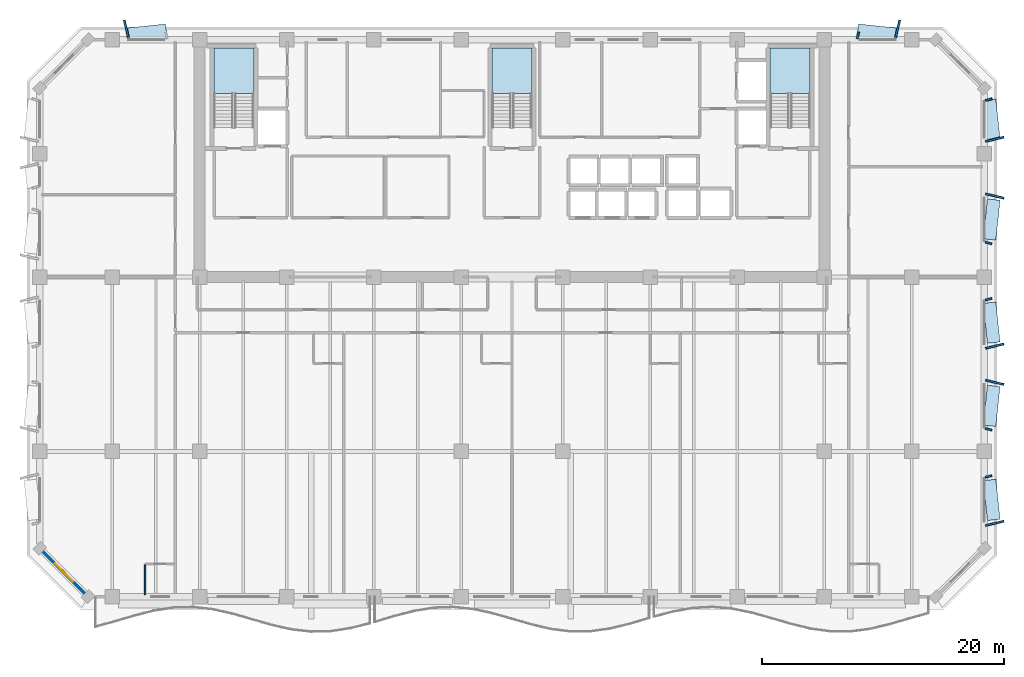
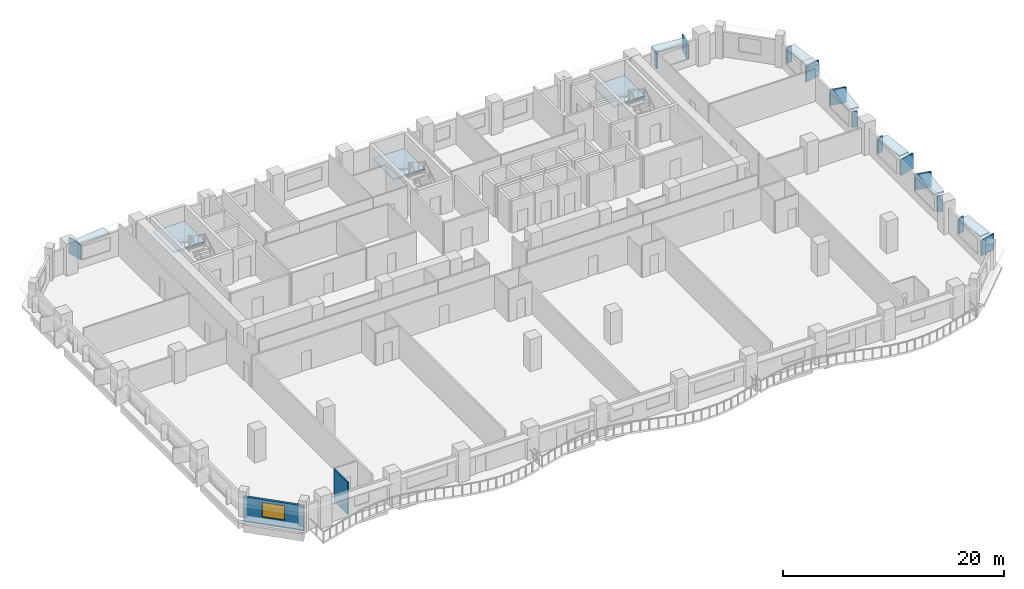
# One storey, part 3 of 14: 20 plates, 3 slabs, 2 walls, 1 window, 1 opening, 3 elements without a shape of their own.
"""IFC4 building model written with IfcOpenShell, lengths in metres."""

from ifc_helpers import new_model, si_unit, direction, frame, frame_2d, origin, origin_2d, place, context, subcontext, project, spatial, polyline, rectangle, outline, extrude, material, layer, layer_set, type_object, element, fill, aggregate, save


model = new_model("IFC4")

# Units and contexts
model_context = context("Model", 3, precision=1e-05, world=origin(), true_north=direction((0.0, 1.0)))
body_context = subcontext(model_context, "Body", "Model", "MODEL_VIEW")
ifc_project = project(units=[si_unit("LENGTHUNIT", "METRE"), si_unit("AREAUNIT", "SQUARE_METRE"), si_unit("VOLUMEUNIT", "CUBIC_METRE"), si_unit("PLANEANGLEUNIT", "RADIAN"), si_unit("MASSUNIT", "GRAM", prefix="KILO")], contexts=[model_context])

# Site, building, storey
site_placement = place(None, origin())
site = spatial("IfcSite", under=ifc_project, at=site_placement, CompositionType="ELEMENT")
building_placement = place(site_placement, origin())
building = spatial("IfcBuilding", under=site, at=building_placement, Name="Kaelvorn Grand Hotel", CompositionType="ELEMENT")
storey_placement = place(building_placement, frame((0.0, 0.0, 220.550048828125)))
storey = spatial("IfcBuildingStorey", under=building, at=storey_placement, Name="L54", CompositionType="ELEMENT", Elevation=220.550048828125)

# Plates
ifc_material_1 = material(Name="Precast concrete C45/55", Category="concrete")
ifc_layer_1 = layer(ifc_material_1, 0.159912109375)
ifc_layer_set_1 = layer_set([ifc_layer_1], Name="Precast concrete C45/55")
plate_type_1 = type_object("IfcPlateType", Name="PL-FRAME-DEEP-1550", PredefinedType="USERDEFINED", material=ifc_layer_set_1)
for number, where, z_axis, x_axis, name in (
    (1, (81.85498046875, 9.06005859375, 0.81494140625), (0.0, 0.0, 1.0), (-0.233445363856, 0.972369920398, 0.0), "L54 Tilted Precast Window Frame Fin L-E01"),
    (2, (81.85498046875, 20.705078125, 0.81494140625), (0.0, 0.0, 1.0), (0.233445363856, 0.972369920398, 0.0), "L54 Tilted Precast Window Frame Fin R-E02"),
    (3, (81.85498046875, 23.695068359375, 0.81494140625), (0.0, 0.0, 1.0), (-0.233445363856, 0.972369920398, 0.0), "L54 Tilted Precast Window Frame Fin L-E03"),
    (4, (81.85498046875, 36.090087890625, 0.81494140625), (0.0, 0.0, 1.0), (0.233445363856, 0.972369920398, 0.0), "L54 Tilted Precast Window Frame Fin R-E04"),
    (5, (81.85498046875, 40.77490234375, 0.73974609375), (0.0, 0.0, 1.0), (-0.233445363856, 0.972369920398, 0.0), "L54 Tilted Precast Window Frame Fin L-E05"),
    (6, (10.159912109375, 49.85498046875, 0.73974609375), (0.0, 0.0, 1.0), (0.972369920398, 0.233445363856, 0.0), "L54 Tilted Precast Window Frame Fin L-N01"),
    (7, (73.840087890625, 49.85498046875, 0.73974609375), (0.0, 0.0, 1.0), (0.972369920398, -0.233445363856, 0.0), "L54 Tilted Precast Window Frame Fin R-N02"),
):
    element("IfcPlate", number, at=place(storey_placement, frame(where, z_axis=z_axis, x_axis=x_axis)), inside=storey, type_object=plate_type_1, Name=name, ObjectType="FLANGE_PLATE", PredefinedType="USERDEFINED", context=body_context, shape_type="SweptSolid", body=[
        extrude(rectangle(XDim=0.159912109375, YDim=1.550048828125, at=origin_2d()), origin(), (0.0, 0.0, 1.0), 1.719970703125),
    ])
ifc_layer_2 = layer(ifc_material_1, 0.159912109375)
ifc_layer_set_2 = layer_set([ifc_layer_2], Name="Precast concrete C45/55")
plate_type_2 = type_object("IfcPlateType", Name="PL-FRAME-HEAD-1050", PredefinedType="USERDEFINED", material=ifc_layer_set_2)
for number, where, z_axis, x_axis, name in (
    (8, (81.60498046875, 11.0, 2.5), (0.0, 0.0, 1.0), (-0.105830199459, 0.994384215926, 0.0), "L54 Precast Window Frame Head Hood H-E01"),
    (9, (81.60498046875, 18.764892578125, 2.5), (0.0, 0.0, 1.0), (0.105830199459, 0.994384215926, 0.0), "L54 Precast Window Frame Head Hood H-E02"),
    (10, (81.60498046875, 25.635009765625, 2.5), (0.0, 0.0, 1.0), (-0.105830199459, 0.994384215926, 0.0), "L54 Precast Window Frame Head Hood H-E03"),
    (11, (81.60498046875, 34.14990234375, 2.5), (0.0, 0.0, 1.0), (0.105830199459, 0.994384215926, 0.0), "L54 Precast Window Frame Head Hood H-E04"),
    (12, (81.60498046875, 42.4150390625, 2.35009765625), (0.0, 0.0, 1.0), (-0.105830199459, 0.994384215926, 0.0), "L54 Precast Window Frame Head Hood H-E05"),
    (13, (11.800048828125, 49.60498046875, 2.35009765625), (0.0, 0.0, 1.0), (0.994384215926, 0.105830199459, 0.0), "L54 Precast Window Frame Head Hood H-N01"),
    (14, (72.199951171875, 49.60498046875, 2.35009765625), (0.0, 0.0, 1.0), (0.994384215926, -0.105830199459, 0.0), "L54 Precast Window Frame Head Hood H-N02"),
):
    element("IfcPlate", number, at=place(storey_placement, frame(where, z_axis=z_axis, x_axis=x_axis)), inside=storey, type_object=plate_type_2, Name=name, ObjectType="FLANGE_PLATE", PredefinedType="USERDEFINED", context=body_context, shape_type="SweptSolid", body=[
        extrude(rectangle(XDim=3.320068359375, YDim=1.050048828125, at=origin_2d()), origin(), (0.0, 0.0, 1.0), 0.159912109375),
    ])
ifc_layer_3 = layer(ifc_material_1, 0.159912109375)
ifc_layer_set_3 = layer_set([ifc_layer_3], Name="Precast concrete C45/55")
plate_type_3 = type_object("IfcPlateType", Name="PL-FRAME-SHAL-550", PredefinedType="USERDEFINED", material=ifc_layer_set_3)
for number, where, z_axis, x_axis, name in (
    (15, (81.35498046875, 12.93994140625, 0.81494140625), (0.0, 0.0, 1.0), (-0.233445363856, 0.972369920398, 0.0), "L54 Tilted Precast Window Frame Fin R-E01"),
    (16, (81.35498046875, 16.824951171875, 0.81494140625), (0.0, 0.0, 1.0), (0.233445363856, 0.972369920398, 0.0), "L54 Tilted Precast Window Frame Fin L-E02"),
    (17, (81.35498046875, 27.574951171875, 0.81494140625), (0.0, 0.0, 1.0), (-0.233445363856, 0.972369920398, 0.0), "L54 Tilted Precast Window Frame Fin R-E03"),
    (18, (81.35498046875, 32.2099609375, 0.81494140625), (0.0, 0.0, 1.0), (0.233445363856, 0.972369920398, 0.0), "L54 Tilted Precast Window Frame Fin L-E04"),
    (19, (81.35498046875, 44.054931640625, 0.73974609375), (0.0, 0.0, 1.0), (-0.233445363856, 0.972369920398, 0.0), "L54 Tilted Precast Window Frame Fin R-E05"),
    (20, (70.56005859375, 49.35498046875, 0.73974609375), (0.0, 0.0, 1.0), (0.972369920398, -0.233445363856, 0.0), "L54 Tilted Precast Window Frame Fin L-N02"),
):
    element("IfcPlate", number, at=place(storey_placement, frame(where, z_axis=z_axis, x_axis=x_axis)), inside=storey, type_object=plate_type_3, Name=name, ObjectType="FLANGE_PLATE", PredefinedType="USERDEFINED", context=body_context, shape_type="SweptSolid", body=[
        extrude(rectangle(XDim=0.159912109375, YDim=0.550048828125, at=origin_2d()), origin(), (0.0, 0.0, 1.0), 1.719970703125),
    ])

# Stair, slab
ifc_material_2 = material(Name="Concrete C40/50", Category="concrete")
stair_type = type_object("IfcStairType", Name="STR-DOG-1560-R08", PredefinedType="HALF_TURN_STAIR", material=ifc_material_2)
stair_1_placement = place(storey_placement, origin())
stair_1 = element("IfcStair", 21, at=stair_1_placement, inside=storey, type_object=stair_type, Name="L54 West Core Exit Stair ST1", PredefinedType="HALF_TURN_STAIR")
ifc_layer_4 = layer(ifc_material_2, 0.199951171875)
ifc_layer_set_4 = layer_set([ifc_layer_4], Name="Concrete C40/50")
slab_type = type_object("IfcSlabType", Name="SLB-LAND-200-C40", PredefinedType="LANDING", material=ifc_layer_set_4)
slab_1_placement = place(storey_placement, frame((0.0, 0.0, 1.699951171875)))
slab_1 = element("IfcSlab", 22, at=slab_1_placement, type_object=slab_type, Name="ST1 landing 1", PredefinedType="LANDING", context=body_context, shape_type="SweptSolid", body=[
    extrude(outline(polyline([(20.679931640625, 44.56005859375), (20.679931640625, 48.300048828125), (17.39990234375, 48.300048828125), (17.39990234375, 44.56005859375), (20.679931640625, 44.56005859375)])), origin(), (0.0, 0.0, 1.0), 0.199951171875),
])
aggregate(stair_1, [slab_1])

stair_2_placement = place(storey_placement, origin())
stair_2 = element("IfcStair", 23, at=stair_2_placement, inside=storey, type_object=stair_type, Name="L54 Central Core Exit Stair ST2", PredefinedType="HALF_TURN_STAIR")
slab_2_placement = place(storey_placement, frame((0.0, 0.0, 1.699951171875)))
slab_2 = element("IfcSlab", 24, at=slab_2_placement, type_object=slab_type, Name="ST2 landing 1", PredefinedType="LANDING", context=body_context, shape_type="SweptSolid", body=[
    extrude(outline(polyline([(43.639892578125, 44.56005859375), (43.639892578125, 48.300048828125), (40.360107421875, 48.300048828125), (40.360107421875, 44.56005859375), (43.639892578125, 44.56005859375)])), origin(), (0.0, 0.0, 1.0), 0.199951171875),
])
aggregate(stair_2, [slab_2])

stair_3_placement = place(storey_placement, origin())
stair_3 = element("IfcStair", 25, at=stair_3_placement, inside=storey, type_object=stair_type, Name="L54 East Core Exit Stair ST3", PredefinedType="HALF_TURN_STAIR")
slab_3_placement = place(storey_placement, frame((0.0, 0.0, 1.699951171875)))
slab_3 = element("IfcSlab", 26, at=slab_3_placement, type_object=slab_type, Name="ST3 landing 1", PredefinedType="LANDING", context=body_context, shape_type="SweptSolid", body=[
    extrude(outline(polyline([(66.60009765625, 44.56005859375), (66.60009765625, 48.300048828125), (63.320068359375, 48.300048828125), (63.320068359375, 44.56005859375), (66.60009765625, 44.56005859375)])), origin(), (0.0, 0.0, 1.0), 0.199951171875),
])
aggregate(stair_3, [slab_3])

# Wall, opening, window
ifc_layer_5 = layer(ifc_material_2, 0.239990234375)
ifc_layer_set_5 = layer_set([ifc_layer_5], Name="Concrete C40/50")
wall_type_1 = type_object("IfcWallType", Name="WL-EXT-240-C40", PredefinedType="SOLIDWALL", material=ifc_layer_set_5)
wall_1_placement = place(storey_placement, frame((3.0, 7.0, 0.0), z_axis=(0.0, 0.0, 1.0), x_axis=(0.707106781187, -0.707106781187, 0.0)))
wall_1 = element("IfcWall", 27, at=wall_1_placement, inside=storey, type_object=wall_type_1, Name="L54 Exterior Architectural Concrete Wall 08", PredefinedType="SOLIDWALL", context=body_context, shape_type="SweptSolid", body=[
    extrude(rectangle(XDim=5.65673828125, YDim=0.239990234375, at=frame_2d((2.828369140625, 0.0))), origin(), (0.0, 0.0, 1.0), 2.760009765625),
])
opening_placement = place(wall_1_placement, frame((1.7783203125, 0.0, 0.85009765625)))
opening = element("IfcOpeningElement", 28, at=opening_placement, cuts=wall_1, Name="Opening W7", PredefinedType="OPENING", context=body_context, shape_type="SweptSolid", body=[
    extrude(rectangle(XDim=2.10009765625, YDim=1.60009765625, at=frame_2d((1.050048828125, 0.800048828125))), frame((0.0, 0.1298828125, 0.0), z_axis=(0.0, -1.0, 0.0), x_axis=(1.0, 0.0, 0.0)), (0.0, 0.0, 1.0), 0.260009765625),
])
ifc_material_3 = material(Name="Laminated Low-E Glass", Category="glass")
window_type = type_object("IfcWindowType", Name="WIN-CHM-2100x1600", PartitioningType="SINGLE_PANEL", PredefinedType="WINDOW", material=ifc_material_3)
window_placement = place(opening_placement, origin())
window = element("IfcWindow", 29, at=window_placement, inside=storey, type_object=window_type, Name="L54 Chamfered 45-Degree Corner Window SW", OverallHeight=1.60009765625, OverallWidth=2.10009765625, PartitioningType="SINGLE_PANEL", PredefinedType="WINDOW", context=body_context, shape_type="SweptSolid", body=[
    extrude(rectangle(XDim=2.10009765625, YDim=1.60009765625, at=frame_2d((1.050048828125, 0.800048828125))), frame((0.0, 0.030029296875, 0.0), z_axis=(0.0, -1.0, 0.0), x_axis=(1.0, 0.0, 0.0)), (0.0, 0.0, 1.0), 0.06005859375),
])
fill(opening, window)

# Wall
ifc_material_4 = material(Name="Moisture-Resistant Tile & Stud Board")
ifc_layer_6 = layer(ifc_material_4, 0.125)
ifc_layer_set_6 = layer_set([ifc_layer_6], Name="Moisture-Resistant Tile & Stud Board")
wall_type_2 = type_object("IfcWallType", Name="WL-PART-125-WET", PredefinedType="PARTITIONING", material=ifc_layer_set_6)
wall_2_placement = place(storey_placement, frame((11.699951171875, 3.14990234375, 0.0), z_axis=(0.0, 0.0, 1.0), x_axis=(0.0, 1.0, 0.0)))
element("IfcWall", 30, at=wall_2_placement, inside=storey, type_object=wall_type_2, Name="L54 En-suite Bathroom L54-05 W Partition", PredefinedType="PARTITIONING", context=body_context, shape_type="SweptSolid", body=[
    extrude(rectangle(XDim=2.482666015625, YDim=0.125, at=frame_2d((1.2412109375, 0.0))), origin(), (0.0, 0.0, 1.0), 3.56005859375),
])

save(model, "model.ifc")
